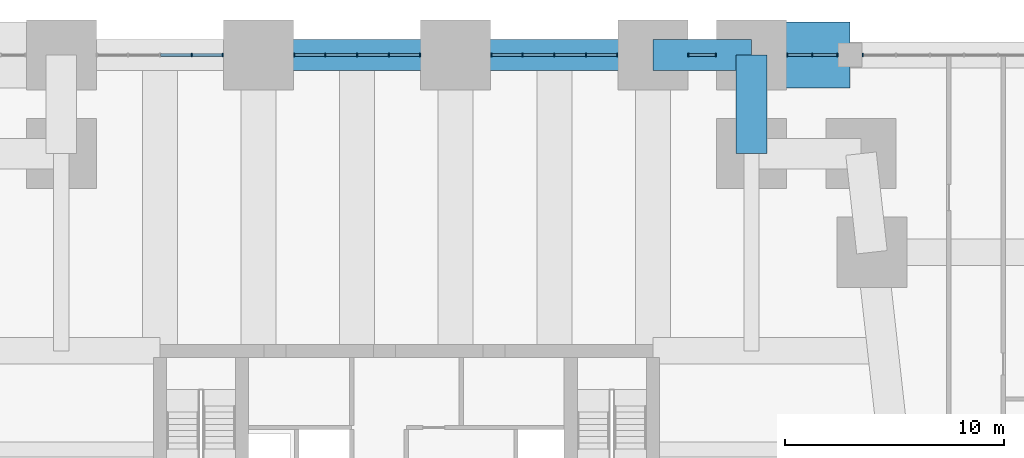
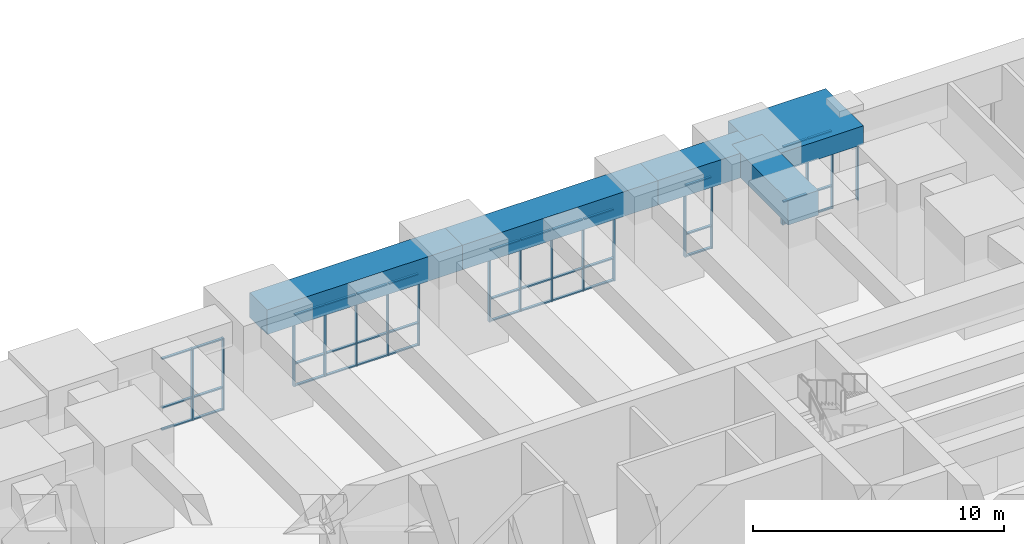
# One storey, part 13 of 27: 57 members, 5 beams, 6 elements without a shape of their own.
"""IFC4 building model written with IfcOpenShell, lengths in metres."""

from ifc_helpers import new_model, si_unit, direction, frame, origin, origin_2d, place, context, subcontext, project, spatial, rectangle, extrude, material, material_profile, profile_set, type_object, element, aggregate, save


model = new_model("IFC4")

# Units and contexts
model_context = context("Model", 3, precision=1e-05, world=origin(), true_north=direction((0.0, 1.0)))
body_context = subcontext(model_context, "Body", "Model", "MODEL_VIEW")
ifc_project = project(units=[si_unit("LENGTHUNIT", "METRE"), si_unit("AREAUNIT", "SQUARE_METRE"), si_unit("VOLUMEUNIT", "CUBIC_METRE"), si_unit("PLANEANGLEUNIT", "RADIAN"), si_unit("MASSUNIT", "GRAM", prefix="KILO")], contexts=[model_context])

# Site, building, storey
site_placement = place(None, origin())
site = spatial("IfcSite", under=ifc_project, at=site_placement, CompositionType="ELEMENT")
building_placement = place(site_placement, origin())
building = spatial("IfcBuilding", under=site, at=building_placement, Name="Kilele Tower Hotel", CompositionType="ELEMENT")
storey_placement = place(building_placement, frame((0.0, 0.0, 6.0)))
storey = spatial("IfcBuildingStorey", under=building, at=storey_placement, Name="L01", CompositionType="ELEMENT", Elevation=6.0)

# Beam
ifc_material_1 = material(Name="Concrete C60/75", Category="concrete")
ifc_material_profile_1 = material_profile(ifc_material_1, rectangle(XDim=3.0, YDim=0.89990234375, at=origin_2d()))
ifc_profile_set_1 = profile_set([ifc_material_profile_1], Name="Concrete C60/75")
beam_type_1 = type_object("IfcBeamType", Name="Beam RC 3000x900 C60/75", PredefinedType="BEAM", material=ifc_profile_set_1)
beam_placement = place(storey_placement, frame((40.5, 40.5, 4.25), z_axis=(1.0, 0.0, 0.0), x_axis=(0.0, 1.0, 0.0)))
element("IfcBeam", 1, at=beam_placement, inside=storey, type_object=beam_type_1, Name="Beam PB1 level L02", PredefinedType="BEAM", context=body_context, shape_type="SweptSolid", body=[
    extrude(rectangle(XDim=3.0, YDim=0.89990234375, at=origin_2d()), origin(), (0.0, 0.0, 1.0), 4.5),
])

# Curtain wall, member
ifc_material_2 = material(Name="Aluminium curtain wall, clear double glazing", Category="aluminium")
curtain_wall_type = type_object("IfcCurtainWallType", Name="Podium curtain wall CW-1", PredefinedType="NOTDEFINED", material=ifc_material_2)
curtain_wall_1_placement = place(storey_placement, origin())
curtain_wall_1 = element("IfcCurtainWall", 2, at=curtain_wall_1_placement, inside=storey, type_object=curtain_wall_type, Name="Podium curtain wall CW-1 L01", PredefinedType="NOTDEFINED")
ifc_material_3 = material(Name="Aluminium EN AW-6063 T6", Category="aluminium")
ifc_material_profile_2 = material_profile(ifc_material_3, rectangle(XDim=0.159912109375, YDim=0.06005859375, at=origin_2d()))
ifc_profile_set_2 = profile_set([ifc_material_profile_2], Name="Aluminium EN AW-6063 T6")
member_type_1 = type_object("IfcMemberType", Name="Mullion 60x160 CW-1", PredefinedType="MULLION", material=ifc_profile_set_2)
member_1_placement = place(storey_placement, frame((45.580078125, 40.5, 0.0), z_axis=(0.0, 0.0, 1.0), x_axis=(0.0, -1.0, 0.0)))
member_1 = element("IfcMember", 3, at=member_1_placement, type_object=member_type_1, Name="CW-1 mullion 9", PredefinedType="MULLION", context=body_context, shape_type="SweptSolid", body=[
    extrude(rectangle(XDim=0.159912109375, YDim=0.06005859375, at=origin_2d()), origin(), (0.0, 0.0, 1.0), 3.0),
])
aggregate(curtain_wall_1, [member_1])

# Curtain wall, members
curtain_wall_2_placement = place(storey_placement, origin())
curtain_wall_2 = element("IfcCurtainWall", 4, at=curtain_wall_2_placement, inside=storey, type_object=curtain_wall_type, Name="Podium curtain wall CW-1 L01", PredefinedType="NOTDEFINED")
member_2_placement = place(storey_placement, frame((44.419921875, 40.5, 0.0), z_axis=(0.0, 0.0, 1.0), x_axis=(0.0, -1.0, 0.0)))
member_2 = element("IfcMember", 5, at=member_2_placement, type_object=member_type_1, Name="CW-1 mullion 1", PredefinedType="MULLION", context=body_context, shape_type="SweptSolid", body=[
    extrude(rectangle(XDim=0.159912109375, YDim=0.06005859375, at=origin_2d()), origin(), (0.0, 0.0, 1.0), 3.800048828125),
])
member_3_placement = place(storey_placement, frame((43.27490234375, 40.5, 0.0), z_axis=(0.0, 0.0, 1.0), x_axis=(0.0, -1.0, 0.0)))
member_3 = element("IfcMember", 6, at=member_3_placement, type_object=member_type_1, Name="CW-1 mullion 2", PredefinedType="MULLION", context=body_context, shape_type="SweptSolid", body=[
    extrude(rectangle(XDim=0.159912109375, YDim=0.06005859375, at=origin_2d()), origin(), (0.0, 0.0, 1.0), 3.800048828125),
])
member_4_placement = place(storey_placement, frame((42.1298828125, 40.5, 0.0), z_axis=(0.0, 0.0, 1.0), x_axis=(0.0, -1.0, 0.0)))
member_4 = element("IfcMember", 7, at=member_4_placement, type_object=member_type_1, Name="CW-1 mullion 3", PredefinedType="MULLION", context=body_context, shape_type="SweptSolid", body=[
    extrude(rectangle(XDim=0.159912109375, YDim=0.06005859375, at=origin_2d()), origin(), (0.0, 0.0, 1.0), 3.800048828125),
])

curtain_wall_3_placement = place(storey_placement, origin())
curtain_wall_3 = element("IfcCurtainWall", 8, at=curtain_wall_3_placement, inside=storey, type_object=curtain_wall_type, Name="Podium curtain wall CW-1 L01", PredefinedType="NOTDEFINED")
member_5_placement = place(storey_placement, frame((38.8701171875, 40.5, 0.0), z_axis=(0.0, 0.0, 1.0), x_axis=(0.0, -1.0, 0.0)))
member_5 = element("IfcMember", 9, at=member_5_placement, type_object=member_type_1, Name="CW-1 mullion 1", PredefinedType="MULLION", context=body_context, shape_type="SweptSolid", body=[
    extrude(rectangle(XDim=0.159912109375, YDim=0.06005859375, at=origin_2d()), origin(), (0.0, 0.0, 1.0), 3.5),
])
member_6_placement = place(storey_placement, frame((37.6298828125, 40.5, 0.0), z_axis=(0.0, 0.0, 1.0), x_axis=(0.0, -1.0, 0.0)))
member_6 = element("IfcMember", 10, at=member_6_placement, type_object=member_type_1, Name="CW-1 mullion 2", PredefinedType="MULLION", context=body_context, shape_type="SweptSolid", body=[
    extrude(rectangle(XDim=0.159912109375, YDim=0.06005859375, at=origin_2d()), origin(), (0.0, 0.0, 1.0), 3.5),
])

curtain_wall_4_placement = place(storey_placement, origin())
curtain_wall_4 = element("IfcCurtainWall", 11, at=curtain_wall_4_placement, inside=storey, type_object=curtain_wall_type, Name="Podium curtain wall CW-1 L01", PredefinedType="NOTDEFINED")
member_7_placement = place(storey_placement, frame((34.3701171875, 40.5, 0.0), z_axis=(0.0, 0.0, 1.0), x_axis=(0.0, -1.0, 0.0)))
member_7 = element("IfcMember", 12, at=member_7_placement, type_object=member_type_1, Name="CW-1 mullion 1", PredefinedType="MULLION", context=body_context, shape_type="SweptSolid", body=[
    extrude(rectangle(XDim=0.159912109375, YDim=0.06005859375, at=origin_2d()), origin(), (0.0, 0.0, 1.0), 3.5),
])
member_8_placement = place(storey_placement, frame((32.949951171875, 40.5, 0.0), z_axis=(0.0, 0.0, 1.0), x_axis=(0.0, -1.0, 0.0)))
member_8 = element("IfcMember", 13, at=member_8_placement, type_object=member_type_1, Name="CW-1 mullion 2", PredefinedType="MULLION", context=body_context, shape_type="SweptSolid", body=[
    extrude(rectangle(XDim=0.159912109375, YDim=0.06005859375, at=origin_2d()), origin(), (0.0, 0.0, 1.0), 3.5),
])
member_9_placement = place(storey_placement, frame((31.5, 40.5, 0.0), z_axis=(0.0, 0.0, 1.0), x_axis=(0.0, -1.0, 0.0)))
member_9 = element("IfcMember", 14, at=member_9_placement, type_object=member_type_1, Name="CW-1 mullion 3", PredefinedType="MULLION", context=body_context, shape_type="SweptSolid", body=[
    extrude(rectangle(XDim=0.159912109375, YDim=0.06005859375, at=origin_2d()), origin(), (0.0, 0.0, 1.0), 3.5),
])
member_10_placement = place(storey_placement, frame((30.050048828125, 40.5, 0.0), z_axis=(0.0, 0.0, 1.0), x_axis=(0.0, -1.0, 0.0)))
member_10 = element("IfcMember", 15, at=member_10_placement, type_object=member_type_1, Name="CW-1 mullion 4", PredefinedType="MULLION", context=body_context, shape_type="SweptSolid", body=[
    extrude(rectangle(XDim=0.159912109375, YDim=0.06005859375, at=origin_2d()), origin(), (0.0, 0.0, 1.0), 3.5),
])
member_11_placement = place(storey_placement, frame((28.6298828125, 40.5, 0.0), z_axis=(0.0, 0.0, 1.0), x_axis=(0.0, -1.0, 0.0)))
member_11 = element("IfcMember", 16, at=member_11_placement, type_object=member_type_1, Name="CW-1 mullion 5", PredefinedType="MULLION", context=body_context, shape_type="SweptSolid", body=[
    extrude(rectangle(XDim=0.159912109375, YDim=0.06005859375, at=origin_2d()), origin(), (0.0, 0.0, 1.0), 3.5),
])

curtain_wall_5_placement = place(storey_placement, origin())
curtain_wall_5 = element("IfcCurtainWall", 17, at=curtain_wall_5_placement, inside=storey, type_object=curtain_wall_type, Name="Podium curtain wall CW-1 L01", PredefinedType="NOTDEFINED")
member_12_placement = place(storey_placement, frame((25.3701171875, 40.5, 0.0), z_axis=(0.0, 0.0, 1.0), x_axis=(0.0, -1.0, 0.0)))
member_12 = element("IfcMember", 18, at=member_12_placement, type_object=member_type_1, Name="CW-1 mullion 1", PredefinedType="MULLION", context=body_context, shape_type="SweptSolid", body=[
    extrude(rectangle(XDim=0.159912109375, YDim=0.06005859375, at=origin_2d()), origin(), (0.0, 0.0, 1.0), 3.5),
])
member_13_placement = place(storey_placement, frame((23.949951171875, 40.5, 0.0), z_axis=(0.0, 0.0, 1.0), x_axis=(0.0, -1.0, 0.0)))
member_13 = element("IfcMember", 19, at=member_13_placement, type_object=member_type_1, Name="CW-1 mullion 2", PredefinedType="MULLION", context=body_context, shape_type="SweptSolid", body=[
    extrude(rectangle(XDim=0.159912109375, YDim=0.06005859375, at=origin_2d()), origin(), (0.0, 0.0, 1.0), 3.5),
])
member_14_placement = place(storey_placement, frame((22.5, 40.5, 0.0), z_axis=(0.0, 0.0, 1.0), x_axis=(0.0, -1.0, 0.0)))
member_14 = element("IfcMember", 20, at=member_14_placement, type_object=member_type_1, Name="CW-1 mullion 3", PredefinedType="MULLION", context=body_context, shape_type="SweptSolid", body=[
    extrude(rectangle(XDim=0.159912109375, YDim=0.06005859375, at=origin_2d()), origin(), (0.0, 0.0, 1.0), 3.5),
])
member_15_placement = place(storey_placement, frame((21.050048828125, 40.5, 0.0), z_axis=(0.0, 0.0, 1.0), x_axis=(0.0, -1.0, 0.0)))
member_15 = element("IfcMember", 21, at=member_15_placement, type_object=member_type_1, Name="CW-1 mullion 4", PredefinedType="MULLION", context=body_context, shape_type="SweptSolid", body=[
    extrude(rectangle(XDim=0.159912109375, YDim=0.06005859375, at=origin_2d()), origin(), (0.0, 0.0, 1.0), 3.5),
])
member_16_placement = place(storey_placement, frame((19.6298828125, 40.5, 0.0), z_axis=(0.0, 0.0, 1.0), x_axis=(0.0, -1.0, 0.0)))
member_16 = element("IfcMember", 22, at=member_16_placement, type_object=member_type_1, Name="CW-1 mullion 5", PredefinedType="MULLION", context=body_context, shape_type="SweptSolid", body=[
    extrude(rectangle(XDim=0.159912109375, YDim=0.06005859375, at=origin_2d()), origin(), (0.0, 0.0, 1.0), 3.5),
])

curtain_wall_6_placement = place(storey_placement, origin())
curtain_wall_6 = element("IfcCurtainWall", 23, at=curtain_wall_6_placement, inside=storey, type_object=curtain_wall_type, Name="Podium curtain wall CW-1 L01", PredefinedType="NOTDEFINED")
member_17_placement = place(storey_placement, frame((16.3701171875, 40.5, 0.0), z_axis=(0.0, 0.0, 1.0), x_axis=(0.0, -1.0, 0.0)))
member_17 = element("IfcMember", 24, at=member_17_placement, type_object=member_type_1, Name="CW-1 mullion 1", PredefinedType="MULLION", context=body_context, shape_type="SweptSolid", body=[
    extrude(rectangle(XDim=0.159912109375, YDim=0.06005859375, at=origin_2d()), origin(), (0.0, 0.0, 1.0), 3.5),
])
member_18_placement = place(storey_placement, frame((14.949951171875, 40.5, 0.0), z_axis=(0.0, 0.0, 1.0), x_axis=(0.0, -1.0, 0.0)))
member_18 = element("IfcMember", 25, at=member_18_placement, type_object=member_type_1, Name="CW-1 mullion 2", PredefinedType="MULLION", context=body_context, shape_type="SweptSolid", body=[
    extrude(rectangle(XDim=0.159912109375, YDim=0.06005859375, at=origin_2d()), origin(), (0.0, 0.0, 1.0), 3.5),
])

# Beams
ifc_material_4 = material(Name="Concrete C60/75", Category="concrete")
ifc_material_profile_3 = material_profile(ifc_material_4, rectangle(XDim=1.39990234375, YDim=1.199951171875, at=origin_2d()))
ifc_profile_set_3 = profile_set([ifc_material_profile_3], Name="Concrete C60/75")
beam_type_2 = type_object("IfcBeamType", Name="Spandrel RC 1400x1200 C60/75", PredefinedType="SPANDREL", material=ifc_profile_set_3)
for number, where, z_axis, x_axis, name in (
    (26, (40.5, 36.0, 4.10009765625), (0.0, 1.0, 0.0), (-1.0, 0.0, 0.0), "Spandrel SP10 level L02"),
    (27, (40.5, 40.5, 4.10009765625), (-1.0, 0.0, 0.0), (0.0, -1.0, 0.0), "Spandrel SP10 level L02"),
):
    element("IfcBeam", number, at=place(storey_placement, frame(where, z_axis=z_axis, x_axis=x_axis)), inside=storey, type_object=beam_type_2, Name=name, PredefinedType="SPANDREL", context=body_context, shape_type="SweptSolid", body=[
        extrude(rectangle(XDim=1.39990234375, YDim=1.199951171875, at=origin_2d()), origin(), (0.0, 0.0, 1.0), 4.5),
    ])
for number, where, z_axis, x_axis, name in (
    (28, (36.0, 40.5, 4.10009765625), (-1.0, 0.0, 0.0), (0.0, -1.0, 0.0), "Spandrel SP10 level L02"),
    (29, (27.0, 40.5, 4.10009765625), (-1.0, 0.0, 0.0), (0.0, -1.0, 0.0), "Spandrel SP10 level L02"),
):
    element("IfcBeam", number, at=place(storey_placement, frame(where, z_axis=z_axis, x_axis=x_axis)), inside=storey, type_object=beam_type_2, Name=name, PredefinedType="SPANDREL", context=body_context, shape_type="SweptSolid", body=[
        extrude(rectangle(XDim=1.39990234375, YDim=1.199951171875, at=origin_2d()), origin(), (0.0, 0.0, 1.0), 9.0),
    ])

# Member
ifc_material_5 = material(Name="Aluminium EN AW-6063 T6", Category="aluminium")
ifc_material_profile_4 = material_profile(ifc_material_5, rectangle(XDim=0.1201171875, YDim=0.06005859375, at=origin_2d()))
ifc_profile_set_4 = profile_set([ifc_material_profile_4], Name="Aluminium EN AW-6063 T6")
member_type_2 = type_object("IfcMemberType", Name="Transom 60x120 CW-1", PredefinedType="USERDEFINED", material=ifc_profile_set_4)
member_19_placement = place(storey_placement, frame((44.389892578125, 40.5, 0.030029296875), z_axis=(-1.0, 0.0, 0.0), x_axis=(0.0, -1.0, 0.0)))
member_19 = element("IfcMember", 30, at=member_19_placement, type_object=member_type_2, Name="CW-1 transom 1.1", ObjectType="TRANSOM", PredefinedType="USERDEFINED", context=body_context, shape_type="SweptSolid", body=[
    extrude(rectangle(XDim=0.1201171875, YDim=0.06005859375, at=origin_2d()), origin(), (0.0, 0.0, 1.0), 1.0849609375),
])

member_20_placement = place(storey_placement, frame((44.389892578125, 40.5, 1.10009765625), z_axis=(-1.0, 0.0, 0.0), x_axis=(0.0, -1.0, 0.0)))
member_20 = element("IfcMember", 31, at=member_20_placement, type_object=member_type_2, Name="CW-1 transom 1.2", ObjectType="TRANSOM", PredefinedType="USERDEFINED", context=body_context, shape_type="SweptSolid", body=[
    extrude(rectangle(XDim=0.1201171875, YDim=0.06005859375, at=origin_2d()), origin(), (0.0, 0.0, 1.0), 1.0849609375),
])

member_21_placement = place(storey_placement, frame((44.389892578125, 40.5, 3.77001953125), z_axis=(-1.0, 0.0, 0.0), x_axis=(0.0, -1.0, 0.0)))
member_21 = element("IfcMember", 32, at=member_21_placement, type_object=member_type_2, Name="CW-1 transom 1.3", ObjectType="TRANSOM", PredefinedType="USERDEFINED", context=body_context, shape_type="SweptSolid", body=[
    extrude(rectangle(XDim=0.1201171875, YDim=0.06005859375, at=origin_2d()), origin(), (0.0, 0.0, 1.0), 1.0849609375),
])

member_22_placement = place(storey_placement, frame((43.2451171875, 40.5, 0.030029296875), z_axis=(-1.0, 0.0, 0.0), x_axis=(0.0, -1.0, 0.0)))
member_22 = element("IfcMember", 33, at=member_22_placement, type_object=member_type_2, Name="CW-1 transom 2.1", ObjectType="TRANSOM", PredefinedType="USERDEFINED", context=body_context, shape_type="SweptSolid", body=[
    extrude(rectangle(XDim=0.1201171875, YDim=0.06005859375, at=origin_2d()), origin(), (0.0, 0.0, 1.0), 1.085205078125),
])

member_23_placement = place(storey_placement, frame((43.2451171875, 40.5, 1.10009765625), z_axis=(-1.0, 0.0, 0.0), x_axis=(0.0, -1.0, 0.0)))
member_23 = element("IfcMember", 34, at=member_23_placement, type_object=member_type_2, Name="CW-1 transom 2.2", ObjectType="TRANSOM", PredefinedType="USERDEFINED", context=body_context, shape_type="SweptSolid", body=[
    extrude(rectangle(XDim=0.1201171875, YDim=0.06005859375, at=origin_2d()), origin(), (0.0, 0.0, 1.0), 1.085205078125),
])

member_24_placement = place(storey_placement, frame((43.2451171875, 40.5, 3.77001953125), z_axis=(-1.0, 0.0, 0.0), x_axis=(0.0, -1.0, 0.0)))
member_24 = element("IfcMember", 35, at=member_24_placement, type_object=member_type_2, Name="CW-1 transom 2.3", ObjectType="TRANSOM", PredefinedType="USERDEFINED", context=body_context, shape_type="SweptSolid", body=[
    extrude(rectangle(XDim=0.1201171875, YDim=0.06005859375, at=origin_2d()), origin(), (0.0, 0.0, 1.0), 1.085205078125),
])

aggregate(curtain_wall_2, [member_2, member_3, member_4, member_19, member_20, member_21, member_22, member_23, member_24])

member_25_placement = place(storey_placement, frame((38.840087890625, 40.5, 0.030029296875), z_axis=(-1.0, 0.0, 0.0), x_axis=(0.0, -1.0, 0.0)))
member_25 = element("IfcMember", 36, at=member_25_placement, type_object=member_type_2, Name="CW-1 transom 1.1", ObjectType="TRANSOM", PredefinedType="USERDEFINED", context=body_context, shape_type="SweptSolid", body=[
    extrude(rectangle(XDim=0.1201171875, YDim=0.06005859375, at=origin_2d()), origin(), (0.0, 0.0, 1.0), 1.18017578125),
])

member_26_placement = place(storey_placement, frame((38.840087890625, 40.5, 1.10009765625), z_axis=(-1.0, 0.0, 0.0), x_axis=(0.0, -1.0, 0.0)))
member_26 = element("IfcMember", 37, at=member_26_placement, type_object=member_type_2, Name="CW-1 transom 1.2", ObjectType="TRANSOM", PredefinedType="USERDEFINED", context=body_context, shape_type="SweptSolid", body=[
    extrude(rectangle(XDim=0.1201171875, YDim=0.06005859375, at=origin_2d()), origin(), (0.0, 0.0, 1.0), 1.18017578125),
])

member_27_placement = place(storey_placement, frame((38.840087890625, 40.5, 3.469970703125), z_axis=(-1.0, 0.0, 0.0), x_axis=(0.0, -1.0, 0.0)))
member_27 = element("IfcMember", 38, at=member_27_placement, type_object=member_type_2, Name="CW-1 transom 1.3", ObjectType="TRANSOM", PredefinedType="USERDEFINED", context=body_context, shape_type="SweptSolid", body=[
    extrude(rectangle(XDim=0.1201171875, YDim=0.06005859375, at=origin_2d()), origin(), (0.0, 0.0, 1.0), 1.18017578125),
])

aggregate(curtain_wall_3, [member_5, member_6, member_25, member_26, member_27])

member_28_placement = place(storey_placement, frame((34.340087890625, 40.5, 0.030029296875), z_axis=(-1.0, 0.0, 0.0), x_axis=(0.0, -1.0, 0.0)))
member_28 = element("IfcMember", 39, at=member_28_placement, type_object=member_type_2, Name="CW-1 transom 1.1", ObjectType="TRANSOM", PredefinedType="USERDEFINED", context=body_context, shape_type="SweptSolid", body=[
    extrude(rectangle(XDim=0.1201171875, YDim=0.06005859375, at=origin_2d()), origin(), (0.0, 0.0, 1.0), 1.360107421875),
])

member_29_placement = place(storey_placement, frame((34.340087890625, 40.5, 1.10009765625), z_axis=(-1.0, 0.0, 0.0), x_axis=(0.0, -1.0, 0.0)))
member_29 = element("IfcMember", 40, at=member_29_placement, type_object=member_type_2, Name="CW-1 transom 1.2", ObjectType="TRANSOM", PredefinedType="USERDEFINED", context=body_context, shape_type="SweptSolid", body=[
    extrude(rectangle(XDim=0.1201171875, YDim=0.06005859375, at=origin_2d()), origin(), (0.0, 0.0, 1.0), 1.360107421875),
])

member_30_placement = place(storey_placement, frame((34.340087890625, 40.5, 3.469970703125), z_axis=(-1.0, 0.0, 0.0), x_axis=(0.0, -1.0, 0.0)))
member_30 = element("IfcMember", 41, at=member_30_placement, type_object=member_type_2, Name="CW-1 transom 1.3", ObjectType="TRANSOM", PredefinedType="USERDEFINED", context=body_context, shape_type="SweptSolid", body=[
    extrude(rectangle(XDim=0.1201171875, YDim=0.06005859375, at=origin_2d()), origin(), (0.0, 0.0, 1.0), 1.360107421875),
])

member_31_placement = place(storey_placement, frame((32.919921875, 40.5, 0.030029296875), z_axis=(-1.0, 0.0, 0.0), x_axis=(0.0, -1.0, 0.0)))
member_31 = element("IfcMember", 42, at=member_31_placement, type_object=member_type_2, Name="CW-1 transom 2.1", ObjectType="TRANSOM", PredefinedType="USERDEFINED", context=body_context, shape_type="SweptSolid", body=[
    extrude(rectangle(XDim=0.1201171875, YDim=0.06005859375, at=origin_2d()), origin(), (0.0, 0.0, 1.0), 1.389892578125),
])

member_32_placement = place(storey_placement, frame((32.919921875, 40.5, 1.10009765625), z_axis=(-1.0, 0.0, 0.0), x_axis=(0.0, -1.0, 0.0)))
member_32 = element("IfcMember", 43, at=member_32_placement, type_object=member_type_2, Name="CW-1 transom 2.2", ObjectType="TRANSOM", PredefinedType="USERDEFINED", context=body_context, shape_type="SweptSolid", body=[
    extrude(rectangle(XDim=0.1201171875, YDim=0.06005859375, at=origin_2d()), origin(), (0.0, 0.0, 1.0), 1.389892578125),
])

member_33_placement = place(storey_placement, frame((32.919921875, 40.5, 3.469970703125), z_axis=(-1.0, 0.0, 0.0), x_axis=(0.0, -1.0, 0.0)))
member_33 = element("IfcMember", 44, at=member_33_placement, type_object=member_type_2, Name="CW-1 transom 2.3", ObjectType="TRANSOM", PredefinedType="USERDEFINED", context=body_context, shape_type="SweptSolid", body=[
    extrude(rectangle(XDim=0.1201171875, YDim=0.06005859375, at=origin_2d()), origin(), (0.0, 0.0, 1.0), 1.389892578125),
])

member_34_placement = place(storey_placement, frame((31.469970703125, 40.5, 0.030029296875), z_axis=(-1.0, 0.0, 0.0), x_axis=(0.0, -1.0, 0.0)))
member_34 = element("IfcMember", 45, at=member_34_placement, type_object=member_type_2, Name="CW-1 transom 3.1", ObjectType="TRANSOM", PredefinedType="USERDEFINED", context=body_context, shape_type="SweptSolid", body=[
    extrude(rectangle(XDim=0.1201171875, YDim=0.06005859375, at=origin_2d()), origin(), (0.0, 0.0, 1.0), 1.389892578125),
])

member_35_placement = place(storey_placement, frame((31.469970703125, 40.5, 1.10009765625), z_axis=(-1.0, 0.0, 0.0), x_axis=(0.0, -1.0, 0.0)))
member_35 = element("IfcMember", 46, at=member_35_placement, type_object=member_type_2, Name="CW-1 transom 3.2", ObjectType="TRANSOM", PredefinedType="USERDEFINED", context=body_context, shape_type="SweptSolid", body=[
    extrude(rectangle(XDim=0.1201171875, YDim=0.06005859375, at=origin_2d()), origin(), (0.0, 0.0, 1.0), 1.389892578125),
])

member_36_placement = place(storey_placement, frame((31.469970703125, 40.5, 3.469970703125), z_axis=(-1.0, 0.0, 0.0), x_axis=(0.0, -1.0, 0.0)))
member_36 = element("IfcMember", 47, at=member_36_placement, type_object=member_type_2, Name="CW-1 transom 3.3", ObjectType="TRANSOM", PredefinedType="USERDEFINED", context=body_context, shape_type="SweptSolid", body=[
    extrude(rectangle(XDim=0.1201171875, YDim=0.06005859375, at=origin_2d()), origin(), (0.0, 0.0, 1.0), 1.389892578125),
])

member_37_placement = place(storey_placement, frame((30.02001953125, 40.5, 0.030029296875), z_axis=(-1.0, 0.0, 0.0), x_axis=(0.0, -1.0, 0.0)))
member_37 = element("IfcMember", 48, at=member_37_placement, type_object=member_type_2, Name="CW-1 transom 4.1", ObjectType="TRANSOM", PredefinedType="USERDEFINED", context=body_context, shape_type="SweptSolid", body=[
    extrude(rectangle(XDim=0.1201171875, YDim=0.06005859375, at=origin_2d()), origin(), (0.0, 0.0, 1.0), 1.360107421875),
])

member_38_placement = place(storey_placement, frame((30.02001953125, 40.5, 1.10009765625), z_axis=(-1.0, 0.0, 0.0), x_axis=(0.0, -1.0, 0.0)))
member_38 = element("IfcMember", 49, at=member_38_placement, type_object=member_type_2, Name="CW-1 transom 4.2", ObjectType="TRANSOM", PredefinedType="USERDEFINED", context=body_context, shape_type="SweptSolid", body=[
    extrude(rectangle(XDim=0.1201171875, YDim=0.06005859375, at=origin_2d()), origin(), (0.0, 0.0, 1.0), 1.360107421875),
])

member_39_placement = place(storey_placement, frame((30.02001953125, 40.5, 3.469970703125), z_axis=(-1.0, 0.0, 0.0), x_axis=(0.0, -1.0, 0.0)))
member_39 = element("IfcMember", 50, at=member_39_placement, type_object=member_type_2, Name="CW-1 transom 4.3", ObjectType="TRANSOM", PredefinedType="USERDEFINED", context=body_context, shape_type="SweptSolid", body=[
    extrude(rectangle(XDim=0.1201171875, YDim=0.06005859375, at=origin_2d()), origin(), (0.0, 0.0, 1.0), 1.360107421875),
])

aggregate(curtain_wall_4, [member_7, member_8, member_9, member_10, member_11, member_28, member_29, member_30, member_31, member_32, member_33, member_34, member_35, member_36, member_37, member_38, member_39])

member_40_placement = place(storey_placement, frame((25.340087890625, 40.5, 0.030029296875), z_axis=(-1.0, 0.0, 0.0), x_axis=(0.0, -1.0, 0.0)))
member_40 = element("IfcMember", 51, at=member_40_placement, type_object=member_type_2, Name="CW-1 transom 1.1", ObjectType="TRANSOM", PredefinedType="USERDEFINED", context=body_context, shape_type="SweptSolid", body=[
    extrude(rectangle(XDim=0.1201171875, YDim=0.06005859375, at=origin_2d()), origin(), (0.0, 0.0, 1.0), 1.360107421875),
])

member_41_placement = place(storey_placement, frame((25.340087890625, 40.5, 1.10009765625), z_axis=(-1.0, 0.0, 0.0), x_axis=(0.0, -1.0, 0.0)))
member_41 = element("IfcMember", 52, at=member_41_placement, type_object=member_type_2, Name="CW-1 transom 1.2", ObjectType="TRANSOM", PredefinedType="USERDEFINED", context=body_context, shape_type="SweptSolid", body=[
    extrude(rectangle(XDim=0.1201171875, YDim=0.06005859375, at=origin_2d()), origin(), (0.0, 0.0, 1.0), 1.360107421875),
])

member_42_placement = place(storey_placement, frame((25.340087890625, 40.5, 3.469970703125), z_axis=(-1.0, 0.0, 0.0), x_axis=(0.0, -1.0, 0.0)))
member_42 = element("IfcMember", 53, at=member_42_placement, type_object=member_type_2, Name="CW-1 transom 1.3", ObjectType="TRANSOM", PredefinedType="USERDEFINED", context=body_context, shape_type="SweptSolid", body=[
    extrude(rectangle(XDim=0.1201171875, YDim=0.06005859375, at=origin_2d()), origin(), (0.0, 0.0, 1.0), 1.360107421875),
])

member_43_placement = place(storey_placement, frame((23.919921875, 40.5, 0.030029296875), z_axis=(-1.0, 0.0, 0.0), x_axis=(0.0, -1.0, 0.0)))
member_43 = element("IfcMember", 54, at=member_43_placement, type_object=member_type_2, Name="CW-1 transom 2.1", ObjectType="TRANSOM", PredefinedType="USERDEFINED", context=body_context, shape_type="SweptSolid", body=[
    extrude(rectangle(XDim=0.1201171875, YDim=0.06005859375, at=origin_2d()), origin(), (0.0, 0.0, 1.0), 1.389892578125),
])

member_44_placement = place(storey_placement, frame((23.919921875, 40.5, 1.10009765625), z_axis=(-1.0, 0.0, 0.0), x_axis=(0.0, -1.0, 0.0)))
member_44 = element("IfcMember", 55, at=member_44_placement, type_object=member_type_2, Name="CW-1 transom 2.2", ObjectType="TRANSOM", PredefinedType="USERDEFINED", context=body_context, shape_type="SweptSolid", body=[
    extrude(rectangle(XDim=0.1201171875, YDim=0.06005859375, at=origin_2d()), origin(), (0.0, 0.0, 1.0), 1.389892578125),
])

member_45_placement = place(storey_placement, frame((23.919921875, 40.5, 3.469970703125), z_axis=(-1.0, 0.0, 0.0), x_axis=(0.0, -1.0, 0.0)))
member_45 = element("IfcMember", 56, at=member_45_placement, type_object=member_type_2, Name="CW-1 transom 2.3", ObjectType="TRANSOM", PredefinedType="USERDEFINED", context=body_context, shape_type="SweptSolid", body=[
    extrude(rectangle(XDim=0.1201171875, YDim=0.06005859375, at=origin_2d()), origin(), (0.0, 0.0, 1.0), 1.389892578125),
])

member_46_placement = place(storey_placement, frame((22.469970703125, 40.5, 0.030029296875), z_axis=(-1.0, 0.0, 0.0), x_axis=(0.0, -1.0, 0.0)))
member_46 = element("IfcMember", 57, at=member_46_placement, type_object=member_type_2, Name="CW-1 transom 3.1", ObjectType="TRANSOM", PredefinedType="USERDEFINED", context=body_context, shape_type="SweptSolid", body=[
    extrude(rectangle(XDim=0.1201171875, YDim=0.06005859375, at=origin_2d()), origin(), (0.0, 0.0, 1.0), 1.389892578125),
])

member_47_placement = place(storey_placement, frame((22.469970703125, 40.5, 1.10009765625), z_axis=(-1.0, 0.0, 0.0), x_axis=(0.0, -1.0, 0.0)))
member_47 = element("IfcMember", 58, at=member_47_placement, type_object=member_type_2, Name="CW-1 transom 3.2", ObjectType="TRANSOM", PredefinedType="USERDEFINED", context=body_context, shape_type="SweptSolid", body=[
    extrude(rectangle(XDim=0.1201171875, YDim=0.06005859375, at=origin_2d()), origin(), (0.0, 0.0, 1.0), 1.389892578125),
])

member_48_placement = place(storey_placement, frame((22.469970703125, 40.5, 3.469970703125), z_axis=(-1.0, 0.0, 0.0), x_axis=(0.0, -1.0, 0.0)))
member_48 = element("IfcMember", 59, at=member_48_placement, type_object=member_type_2, Name="CW-1 transom 3.3", ObjectType="TRANSOM", PredefinedType="USERDEFINED", context=body_context, shape_type="SweptSolid", body=[
    extrude(rectangle(XDim=0.1201171875, YDim=0.06005859375, at=origin_2d()), origin(), (0.0, 0.0, 1.0), 1.389892578125),
])

member_49_placement = place(storey_placement, frame((21.02001953125, 40.5, 0.030029296875), z_axis=(-1.0, 0.0, 0.0), x_axis=(0.0, -1.0, 0.0)))
member_49 = element("IfcMember", 60, at=member_49_placement, type_object=member_type_2, Name="CW-1 transom 4.1", ObjectType="TRANSOM", PredefinedType="USERDEFINED", context=body_context, shape_type="SweptSolid", body=[
    extrude(rectangle(XDim=0.1201171875, YDim=0.06005859375, at=origin_2d()), origin(), (0.0, 0.0, 1.0), 1.360107421875),
])

member_50_placement = place(storey_placement, frame((21.02001953125, 40.5, 1.10009765625), z_axis=(-1.0, 0.0, 0.0), x_axis=(0.0, -1.0, 0.0)))
member_50 = element("IfcMember", 61, at=member_50_placement, type_object=member_type_2, Name="CW-1 transom 4.2", ObjectType="TRANSOM", PredefinedType="USERDEFINED", context=body_context, shape_type="SweptSolid", body=[
    extrude(rectangle(XDim=0.1201171875, YDim=0.06005859375, at=origin_2d()), origin(), (0.0, 0.0, 1.0), 1.360107421875),
])

member_51_placement = place(storey_placement, frame((21.02001953125, 40.5, 3.469970703125), z_axis=(-1.0, 0.0, 0.0), x_axis=(0.0, -1.0, 0.0)))
member_51 = element("IfcMember", 62, at=member_51_placement, type_object=member_type_2, Name="CW-1 transom 4.3", ObjectType="TRANSOM", PredefinedType="USERDEFINED", context=body_context, shape_type="SweptSolid", body=[
    extrude(rectangle(XDim=0.1201171875, YDim=0.06005859375, at=origin_2d()), origin(), (0.0, 0.0, 1.0), 1.360107421875),
])

aggregate(curtain_wall_5, [member_12, member_13, member_14, member_15, member_16, member_40, member_41, member_42, member_43, member_44, member_45, member_46, member_47, member_48, member_49, member_50, member_51])

member_52_placement = place(storey_placement, frame((16.340087890625, 40.5, 0.030029296875), z_axis=(-1.0, 0.0, 0.0), x_axis=(0.0, -1.0, 0.0)))
member_52 = element("IfcMember", 63, at=member_52_placement, type_object=member_type_2, Name="CW-1 transom 1.1", ObjectType="TRANSOM", PredefinedType="USERDEFINED", context=body_context, shape_type="SweptSolid", body=[
    extrude(rectangle(XDim=0.1201171875, YDim=0.06005859375, at=origin_2d()), origin(), (0.0, 0.0, 1.0), 1.360107421875),
])

member_53_placement = place(storey_placement, frame((16.340087890625, 40.5, 1.10009765625), z_axis=(-1.0, 0.0, 0.0), x_axis=(0.0, -1.0, 0.0)))
member_53 = element("IfcMember", 64, at=member_53_placement, type_object=member_type_2, Name="CW-1 transom 1.2", ObjectType="TRANSOM", PredefinedType="USERDEFINED", context=body_context, shape_type="SweptSolid", body=[
    extrude(rectangle(XDim=0.1201171875, YDim=0.06005859375, at=origin_2d()), origin(), (0.0, 0.0, 1.0), 1.360107421875),
])

member_54_placement = place(storey_placement, frame((16.340087890625, 40.5, 3.469970703125), z_axis=(-1.0, 0.0, 0.0), x_axis=(0.0, -1.0, 0.0)))
member_54 = element("IfcMember", 65, at=member_54_placement, type_object=member_type_2, Name="CW-1 transom 1.3", ObjectType="TRANSOM", PredefinedType="USERDEFINED", context=body_context, shape_type="SweptSolid", body=[
    extrude(rectangle(XDim=0.1201171875, YDim=0.06005859375, at=origin_2d()), origin(), (0.0, 0.0, 1.0), 1.360107421875),
])

member_55_placement = place(storey_placement, frame((14.919921875, 40.5, 0.030029296875), z_axis=(-1.0, 0.0, 0.0), x_axis=(0.0, -1.0, 0.0)))
member_55 = element("IfcMember", 66, at=member_55_placement, type_object=member_type_2, Name="CW-1 transom 2.1", ObjectType="TRANSOM", PredefinedType="USERDEFINED", context=body_context, shape_type="SweptSolid", body=[
    extrude(rectangle(XDim=0.1201171875, YDim=0.06005859375, at=origin_2d()), origin(), (0.0, 0.0, 1.0), 1.389892578125),
])

member_56_placement = place(storey_placement, frame((14.919921875, 40.5, 1.10009765625), z_axis=(-1.0, 0.0, 0.0), x_axis=(0.0, -1.0, 0.0)))
member_56 = element("IfcMember", 67, at=member_56_placement, type_object=member_type_2, Name="CW-1 transom 2.2", ObjectType="TRANSOM", PredefinedType="USERDEFINED", context=body_context, shape_type="SweptSolid", body=[
    extrude(rectangle(XDim=0.1201171875, YDim=0.06005859375, at=origin_2d()), origin(), (0.0, 0.0, 1.0), 1.389892578125),
])

member_57_placement = place(storey_placement, frame((14.919921875, 40.5, 3.469970703125), z_axis=(-1.0, 0.0, 0.0), x_axis=(0.0, -1.0, 0.0)))
member_57 = element("IfcMember", 68, at=member_57_placement, type_object=member_type_2, Name="CW-1 transom 2.3", ObjectType="TRANSOM", PredefinedType="USERDEFINED", context=body_context, shape_type="SweptSolid", body=[
    extrude(rectangle(XDim=0.1201171875, YDim=0.06005859375, at=origin_2d()), origin(), (0.0, 0.0, 1.0), 1.389892578125),
])

aggregate(curtain_wall_6, [member_17, member_18, member_52, member_53, member_54, member_55, member_56, member_57])

save(model, "model.ifc")
